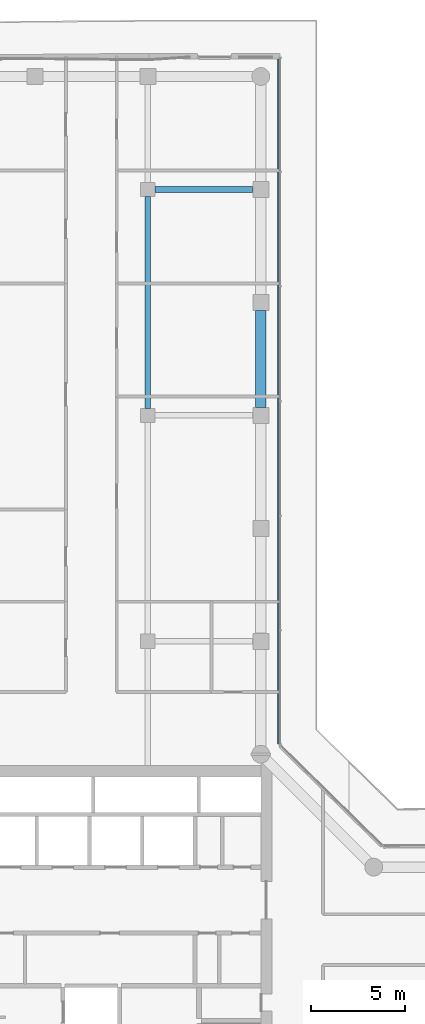
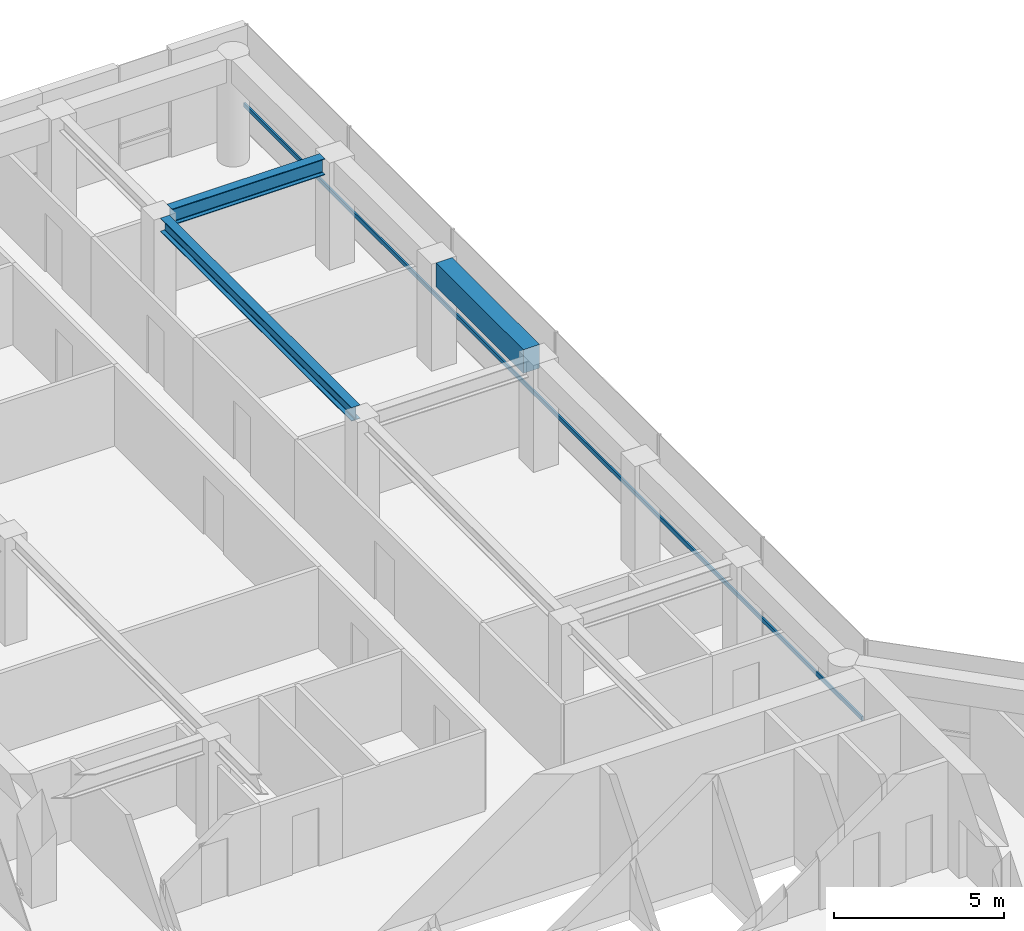
# One storey, part 12 of 19: 3 beams, 1 member, 1 element without a shape of its own.
"""IFC4 building model written with IfcOpenShell, lengths in metres."""

from ifc_helpers import new_model, si_unit, direction, frame, origin, origin_2d, place, context, subcontext, project, spatial, rectangle, i_section, extrude, material, layer, layer_set, material_profile, profile_set, type_object, element, aggregate, save


model = new_model("IFC4")

# Units and contexts
model_context = context("Model", 3, precision=1e-05, world=origin(), true_north=direction((0.0, 1.0)))
body_context = subcontext(model_context, "Body", "Model", "MODEL_VIEW")
ifc_project = project(units=[si_unit("LENGTHUNIT", "METRE"), si_unit("AREAUNIT", "SQUARE_METRE"), si_unit("VOLUMEUNIT", "CUBIC_METRE"), si_unit("PLANEANGLEUNIT", "RADIAN"), si_unit("MASSUNIT", "GRAM", prefix="KILO")], contexts=[model_context])

# Site, building, storey
site_placement = place(None, origin())
site = spatial("IfcSite", under=ifc_project, at=site_placement, CompositionType="ELEMENT")
building_placement = place(site_placement, origin())
building = spatial("IfcBuilding", under=site, at=building_placement, Name="Welwitschia Terrace Campus", CompositionType="ELEMENT")
storey_placement = place(building_placement, frame((0.0, 0.0, 171.800048828125)))
storey = spatial("IfcBuildingStorey", under=building, at=storey_placement, Name="L38", CompositionType="ELEMENT", Elevation=171.800048828125)

# Beams
ifc_material_1 = material(Name="Steel S355", Category="steel")
ifc_material_profile_1 = material_profile(ifc_material_1, i_section(OverallWidth=0.300048828125, OverallDepth=0.489990234375, WebThickness=0.011962890625, FlangeThickness=0.02294921875, FilletRadius=0.027099609375, at=origin_2d()))
ifc_profile_set_1 = profile_set([ifc_material_profile_1], Name="Steel S355")
beam_type_1 = type_object("IfcBeamType", Name="Interior girder HE 500 A", PredefinedType="BEAM", material=ifc_profile_set_1)
beam_1_placement = place(storey_placement, frame((18.0, 44.37548828125, 3.60498046875), z_axis=(0.0, 1.0, 0.0), x_axis=(-1.0, 0.0, 0.0)))
element("IfcBeam", 1, at=beam_1_placement, inside=storey, type_object=beam_type_1, Name="Girder GB4", PredefinedType="BEAM", context=body_context, shape_type="SweptSolid", body=[
    extrude(i_section(OverallWidth=0.300048828125, OverallDepth=0.489990234375, WebThickness=0.011962890625, FlangeThickness=0.02294921875, FilletRadius=0.027099609375, at=origin_2d()), origin(), (0.0, 0.0, 1.0), 11.2490234375),
])
ifc_material_2 = material(Name="Steel S355", Category="steel")
ifc_material_profile_2 = material_profile(ifc_material_2, i_section(OverallWidth=0.300048828125, OverallDepth=0.590087890625, WebThickness=0.012939453125, FlangeThickness=0.02490234375, FilletRadius=0.027099609375, at=origin_2d()))
ifc_profile_set_2 = profile_set([ifc_material_profile_2], Name="Steel S355")
beam_type_2 = type_object("IfcBeamType", Name="Primary beam HE 600 A", PredefinedType="BEAM", material=ifc_profile_set_2)
beam_2_placement = place(storey_placement, frame((23.574462890625, 56.0, 3.554931640625), z_axis=(-1.0, 0.0, 0.0), x_axis=(0.0, -1.0, 0.0)))
element("IfcBeam", 2, at=beam_2_placement, inside=storey, type_object=beam_type_2, Name="Primary beam PB4", PredefinedType="BEAM", context=body_context, shape_type="SweptSolid", body=[
    extrude(i_section(OverallWidth=0.300048828125, OverallDepth=0.590087890625, WebThickness=0.012939453125, FlangeThickness=0.02490234375, FilletRadius=0.027099609375, at=origin_2d()), origin(), (0.0, 0.0, 1.0), 5.198974609375),
])
ifc_material_3 = material(Name="Concrete C50/60", Category="concrete")
ifc_material_profile_3 = material_profile(ifc_material_3, rectangle(XDim=0.550048828125, YDim=0.85009765625, at=origin_2d()))
ifc_profile_set_3 = profile_set([ifc_material_profile_3], Name="Concrete C50/60")
beam_type_3 = type_object("IfcBeamType", Name="Ring spandrel 550x850", PredefinedType="SPANDREL", material=ifc_profile_set_3)
beam_3_placement = place(storey_placement, frame((24.0, 44.425537109375, 3.425048828125), z_axis=(0.0, 1.0, 0.0), x_axis=(-1.0, 0.0, 0.0)))
element("IfcBeam", 3, at=beam_3_placement, inside=storey, type_object=beam_type_3, Name="Spandrel SP3", PredefinedType="SPANDREL", context=body_context, shape_type="SweptSolid", body=[
    extrude(rectangle(XDim=0.550048828125, YDim=0.85009765625, at=origin_2d()), origin(), (0.0, 0.0, 1.0), 5.14892578125),
])

# Curtain wall, member
ifc_material_4 = material(Name="Bronze anodised aluminium", Category="aluminium")
ifc_layer = layer(ifc_material_4, 0.1201171875)
ifc_layer_set = layer_set([ifc_layer], Name="Bronze anodised aluminium")
curtain_wall_type = type_object("IfcCurtainWallType", Name="Curtain wall CW2 tower 6000", PredefinedType="NOTDEFINED", material=ifc_layer_set)
curtain_wall_placement = place(storey_placement, origin())
curtain_wall = element("IfcCurtainWall", 4, at=curtain_wall_placement, inside=storey, type_object=curtain_wall_type, Name="CW L38.10.0", PredefinedType="NOTDEFINED")
ifc_material_5 = material(Name="Bronze anodised aluminium", Category="aluminium")
ifc_material_profile_4 = material_profile(ifc_material_5, rectangle(XDim=0.06005859375, YDim=0.14990234375, at=origin_2d()))
ifc_profile_set_4 = profile_set([ifc_material_profile_4], Name="Bronze anodised aluminium")
member_type = type_object("IfcMemberType", Name="Transom 60x150", PredefinedType="USERDEFINED", material=ifc_profile_set_4)
member_placement = place(storey_placement, frame((24.93994140625, 26.546142578125, 1.0), z_axis=(0.0, 1.0, 0.0), x_axis=(-1.0, 0.0, 0.0)))
member = element("IfcMember", 5, at=member_placement, type_object=member_type, Name="Transom L38.10.0", ObjectType="TRANSOM", PredefinedType="USERDEFINED", context=body_context, shape_type="SweptSolid", body=[
    extrude(rectangle(XDim=0.06005859375, YDim=0.14990234375, at=origin_2d()), origin(), (0.0, 0.0, 1.0), 36.423828125),
])
aggregate(curtain_wall, [member])

save(model, "model.ifc")
